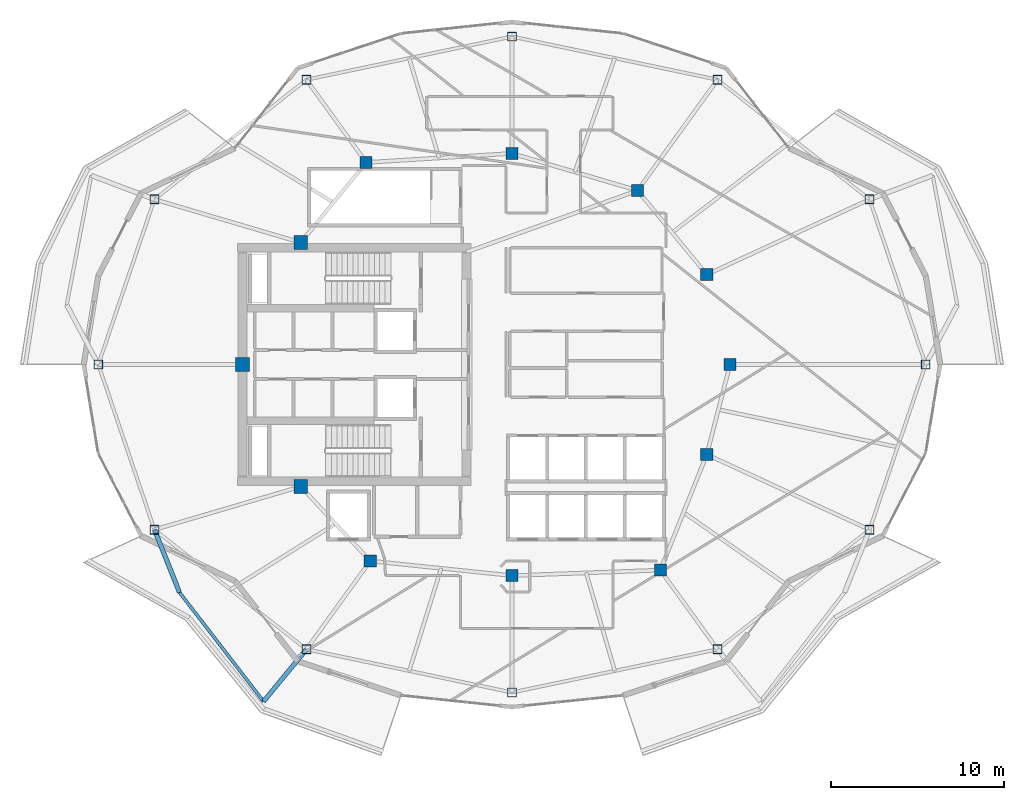
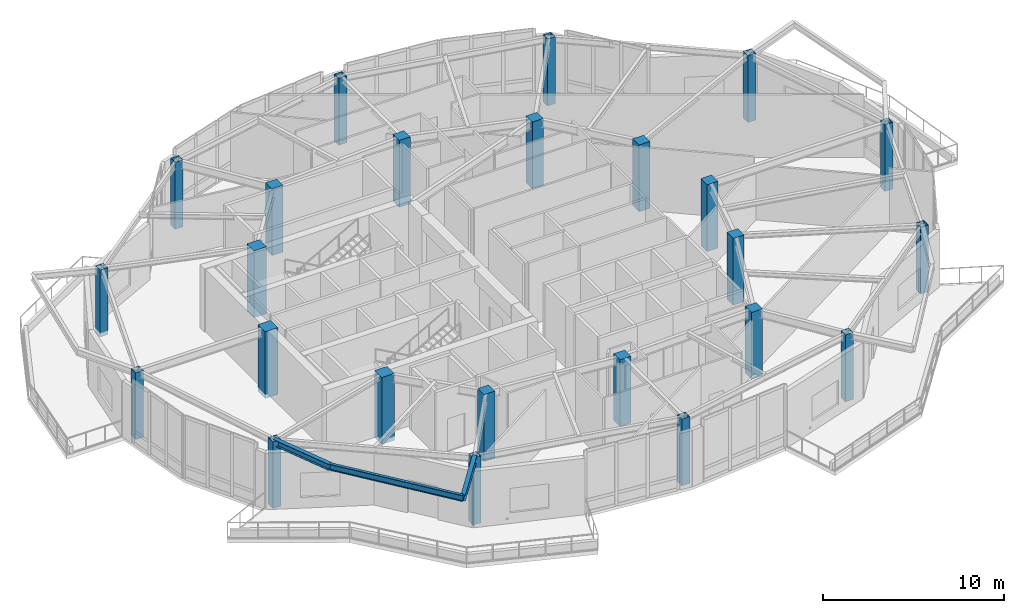
# One storey, part 1 of 15: 24 columns, 3 beams.
"""IFC4 building model written with IfcOpenShell, lengths in metres."""

from ifc_helpers import new_model, si_unit, direction, frame, origin, origin_2d, place, context, subcontext, project, spatial, rectangle, hollow_rectangle, i_section, extrude, material, material_profile, profile_set, type_object, element, save


model = new_model("IFC4")

# Units and contexts
model_context = context("Model", 3, precision=1e-05, world=origin(), true_north=direction((0.0, 1.0)))
body_context = subcontext(model_context, "Body", "Model", "MODEL_VIEW")
ifc_project = project(units=[si_unit("LENGTHUNIT", "METRE"), si_unit("AREAUNIT", "SQUARE_METRE"), si_unit("VOLUMEUNIT", "CUBIC_METRE"), si_unit("PLANEANGLEUNIT", "RADIAN"), si_unit("MASSUNIT", "GRAM", prefix="KILO")], contexts=[model_context])

# Site, building, storey
site_placement = place(None, origin())
site = spatial("IfcSite", under=ifc_project, at=site_placement, CompositionType="ELEMENT")
building_placement = place(site_placement, origin())
building = spatial("IfcBuilding", under=site, at=building_placement, Name="Kolvaren Gate Tower and Convention Centre", CompositionType="ELEMENT")
storey_placement = place(building_placement, frame((0.0, 0.0, 191.89990234375)))
storey = spatial("IfcBuildingStorey", under=building, at=storey_placement, Name="L50", CompositionType="ELEMENT", Elevation=191.89990234375)

# Columns
ifc_material_1 = material(Name="Structural steel ASTM A500 Grade C 345 MPa", Category="steel")
ifc_material_profile_1 = material_profile(ifc_material_1, hollow_rectangle(XDim=0.508056640625, YDim=0.508056640625, WallThickness=0.01904296875, at=origin_2d()), Name="HSS508X508X19.1")
ifc_profile_set_1 = profile_set([ifc_material_profile_1], Name="Structural steel ASTM A500 Grade C 345 MPa")
column_type_1 = type_object("IfcColumnType", Name="STR-COL-HSS508", PredefinedType="COLUMN", material=ifc_profile_set_1)
for number, where, z_axis, x_axis, name in (
    (1, (54.02490234375, 27.0, -0.27978515625), (0.0, 0.0, 1.0), (1.0, 0.0, 0.0), "Tower L50 Perimeter Supercolumn TP-01"),
    (2, (50.787353515625, 36.543701171875, -0.27978515625), (0.0, 0.0, 1.0), (1.0, 0.0, 0.0), "Tower L50 Perimeter Supercolumn TP-02"),
    (3, (42.002685546875, 43.4580078125, -0.27978515625), (0.0, 0.0, 1.0), (1.0, 0.0, 0.0), "Tower L50 Perimeter Supercolumn TP-03"),
    (4, (30.125, 45.949951171875, -0.27978515625), (0.0, 0.0, 1.0), (1.0, 0.0, 0.0), "Tower L50 Perimeter Supercolumn TP-04"),
    (5, (18.247314453125, 43.4580078125, -0.27978515625), (0.0, 0.0, 1.0), (1.0, 0.0, 0.0), "Tower L50 Perimeter Supercolumn TP-05"),
    (6, (9.462646484375, 36.543701171875, -0.27978515625), (0.0, 0.0, 1.0), (1.0, 0.0, 0.0), "Tower L50 Perimeter Supercolumn TP-06"),
    (7, (6.22509765625, 27.0, -0.27978515625), (0.0, 0.0, 1.0), (1.0, 0.0, 0.0), "Tower L50 Perimeter Supercolumn TP-07"),
    (8, (9.462646484375, 17.456298828125, -0.27978515625), (0.0, 0.0, 1.0), (1.0, 0.0, 0.0), "Tower L50 Perimeter Supercolumn TP-08"),
    (9, (18.247314453125, 10.5419921875, -0.27978515625), (0.0, 0.0, 1.0), (1.0, 0.0, 0.0), "Tower L50 Perimeter Supercolumn TP-09"),
    (10, (30.125, 8.050048828125, -0.27978515625), (0.0, 0.0, 1.0), (1.0, 0.0, 0.0), "Tower L50 Perimeter Supercolumn TP-10"),
    (11, (42.002685546875, 10.5419921875, -0.27978515625), (0.0, 0.0, 1.0), (1.0, 0.0, 0.0), "Tower L50 Perimeter Supercolumn TP-11"),
    (12, (50.787353515625, 17.456298828125, -0.27978515625), (0.0, 0.0, 1.0), (1.0, 0.0, 0.0), "Tower L50 Perimeter Supercolumn TP-12"),
):
    element("IfcColumn", number, at=place(storey_placement, frame(where, z_axis=z_axis, x_axis=x_axis)), inside=storey, type_object=column_type_1, Name=name, PredefinedType="COLUMN", context=body_context, shape_type="SweptSolid", body=[
        extrude(hollow_rectangle(XDim=0.508056640625, YDim=0.508056640625, WallThickness=0.01904296875, at=origin_2d()), origin(), (0.0, 0.0, 1.0), 4.509765625),
    ])
ifc_material_2 = material(Name="Concrete C50/60", Category="concrete")
ifc_material_profile_2 = material_profile(ifc_material_2, rectangle(XDim=0.699951171875, YDim=0.699951171875, at=origin_2d()), Name="RC-COL-700X700")
ifc_profile_set_2 = profile_set([ifc_material_profile_2], Name="Concrete C50/60")
column_type_2 = type_object("IfcColumnType", Name="STR-COL-RC700", PredefinedType="COLUMN", material=ifc_profile_set_2)
for number, where, z_axis, x_axis, name in (
    (13, (42.72509765625, 27.0, -0.27978515625), (0.0, 0.0, 1.0), (1.0, 0.0, 0.0), "Tower L50 Interior Column TI-01"),
    (14, (41.382080078125, 32.199462890625, -0.27978515625), (0.0, 0.0, 1.0), (1.0, 0.0, 0.0), "Tower L50 Interior Column TI-02"),
    (15, (37.381591796875, 37.054931640625, -0.27978515625), (0.0, 0.0, 1.0), (1.0, 0.0, 0.0), "Tower L50 Interior Column TI-03"),
    (16, (30.125, 39.199951171875, -0.27978515625), (0.0, 0.0, 1.0), (1.0, 0.0, 0.0), "Tower L50 Interior Column TI-04"),
    (17, (21.697998046875, 38.6767578125, -0.27978515625), (0.0, 0.0, 1.0), (1.0, 0.0, 0.0), "Tower L50 Interior Column TI-05"),
    (18, (21.93212890625, 15.647705078125, -0.27978515625), (0.0, 0.0, 1.0), (1.0, 0.0, 0.0), "Tower L50 Interior Column TI-06"),
    (19, (30.125, 14.800048828125, -0.27978515625), (0.0, 0.0, 1.0), (1.0, 0.0, 0.0), "Tower L50 Interior Column TI-07"),
    (20, (38.6982421875, 15.12060546875, -0.27978515625), (0.0, 0.0, 1.0), (1.0, 0.0, 0.0), "Tower L50 Interior Column TI-08"),
    (21, (41.382080078125, 21.800537109375, -0.27978515625), (0.0, 0.0, 1.0), (1.0, 0.0, 0.0), "Tower L50 Interior Column TI-09"),
):
    element("IfcColumn", number, at=place(storey_placement, frame(where, z_axis=z_axis, x_axis=x_axis)), inside=storey, type_object=column_type_2, Name=name, PredefinedType="COLUMN", context=body_context, shape_type="SweptSolid", body=[
        extrude(rectangle(XDim=0.699951171875, YDim=0.699951171875, at=origin_2d()), origin(), (0.0, 0.0, 1.0), 4.509765625),
    ])
ifc_material_3 = material(Name="Concrete C60/75", Category="concrete")
ifc_material_profile_3 = material_profile(ifc_material_3, rectangle(XDim=0.800048828125, YDim=0.800048828125, at=origin_2d()), Name="RC-COL-800X800")
ifc_profile_set_3 = profile_set([ifc_material_profile_3], Name="Concrete C60/75")
column_type_3 = type_object("IfcColumnType", Name="STR-PIL-RC800", PredefinedType="PILASTER", material=ifc_profile_set_3)
for number, where, z_axis, x_axis, name in (
    (22, (17.9140625, 34.050048828125, -0.27978515625), (0.0, 0.0, 1.0), (1.0, 0.0, 0.0), "Tower L50 Core Boundary Pilaster TC-05"),
    (23, (14.550048828125, 27.0, -0.27978515625), (0.0, 0.0, 1.0), (1.0, 0.0, 0.0), "Tower L50 Core Boundary Pilaster TC-06"),
    (24, (17.9140625, 19.949951171875, -0.27978515625), (0.0, 0.0, 1.0), (1.0, 0.0, 0.0), "Tower L50 Core Boundary Pilaster TC-07"),
):
    element("IfcColumn", number, at=place(storey_placement, frame(where, z_axis=z_axis, x_axis=x_axis)), inside=storey, type_object=column_type_3, Name=name, PredefinedType="PILASTER", context=body_context, shape_type="SweptSolid", body=[
        extrude(rectangle(XDim=0.800048828125, YDim=0.800048828125, at=origin_2d()), origin(), (0.0, 0.0, 1.0), 4.509765625),
    ])

# Beams
ifc_material_4 = material(Name="Structural steel ASTM A992 Grade 345 MPa", Category="steel")
ifc_material_profile_4 = material_profile(ifc_material_4, i_section(OverallWidth=0.260009765625, OverallDepth=0.419921875, WebThickness=0.013427734375, FlangeThickness=0.0224609375, at=origin_2d()), Name="W410X132")
ifc_profile_set_4 = profile_set([ifc_material_profile_4], Name="Structural steel ASTM A992 Grade 345 MPa")
beam_type_1 = type_object("IfcBeamType", Name="STR-BM-W410X132", PredefinedType="BEAM", material=ifc_profile_set_4)
for number, where, z_axis, x_axis, name in (
    (25, (9.462646484375, 17.456298828125, 4.0205078125), (0.370926499602, -0.92866222702, 0.0), (0.92866222702, 0.370926499602, 0.0), "Tower L51 Planted Balcony Outrigger Cantilever BC-3A"),
    (26, (18.247314453125, 10.5419921875, 4.0205078125), (-0.636086782115, -0.771617525474, 0.0), (0.771617525474, -0.636086782115, 0.0), "Tower L51 Planted Balcony Outrigger Cantilever BC-3B"),
):
    element("IfcBeam", number, at=place(storey_placement, frame(where, z_axis=z_axis, x_axis=x_axis)), inside=storey, type_object=beam_type_1, Name=name, PredefinedType="BEAM", context=body_context, shape_type="SweptSolid", body=[
        extrude(i_section(OverallWidth=0.260009765625, OverallDepth=0.419921875, WebThickness=0.013427734375, FlangeThickness=0.0224609375, at=origin_2d()), origin(), (0.0, 0.0, 1.0), 3.89990234375),
    ])
ifc_material_profile_5 = material_profile(ifc_material_4, i_section(OverallWidth=0.180908203125, OverallDepth=0.4169921875, WebThickness=0.010986328125, FlangeThickness=0.018310546875, at=origin_2d()), Name="W410X85")
ifc_profile_set_5 = profile_set([ifc_material_profile_5], Name="Structural steel ASTM A992 Grade 345 MPa")
beam_type_2 = type_object("IfcBeamType", Name="STR-SP-W410X85", PredefinedType="SPANDREL", material=ifc_profile_set_5)
beam_placement = place(storey_placement, frame((10.9091796875, 13.834716796875, 4.022216796875), z_axis=(0.61047858823, -0.792032760252, 0.0), x_axis=(0.792032760252, 0.61047858823, 0.0)))
element("IfcBeam", 27, at=beam_placement, inside=storey, type_object=beam_type_2, Name="Tower L51 Planted Balcony Header Tie Beam BT-3", PredefinedType="SPANDREL", context=body_context, shape_type="SweptSolid", body=[
    extrude(i_section(OverallWidth=0.180908203125, OverallDepth=0.4169921875, WebThickness=0.010986328125, FlangeThickness=0.018310546875, at=origin_2d()), origin(), (0.0, 0.0, 1.0), 7.956787109375),
])

save(model, "model.ifc")
